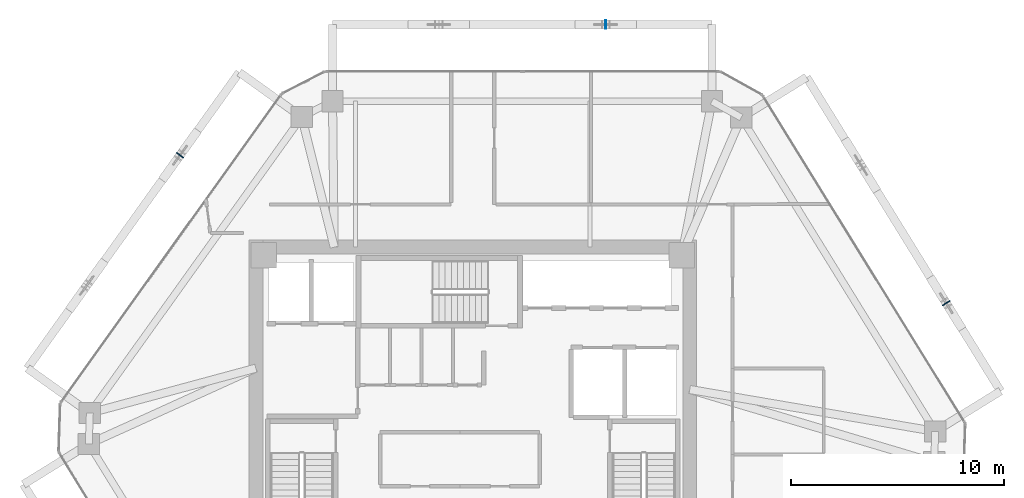
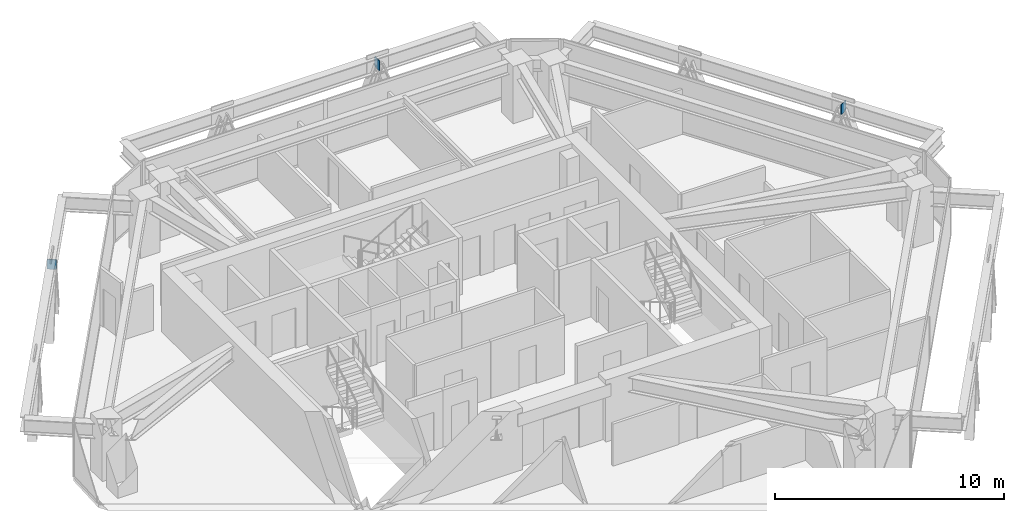
# One storey, part 9 of 14: 3 plates.
"""IFC4 building model written with IfcOpenShell, lengths in metres."""

from ifc_helpers import new_model, si_unit, direction, frame, origin, origin_2d, place, context, subcontext, project, spatial, rectangle, extrude, source, transform, mapped, material, layer, layer_set, type_object, type_shapes, element, save


model = new_model("IFC4")

# Units and contexts
model_context = context("Model", 3, precision=1e-05, world=origin(), true_north=direction((0.0, 1.0)))
body_context = subcontext(model_context, "Body", "Model", "MODEL_VIEW")
ifc_project = project(units=[si_unit("LENGTHUNIT", "METRE"), si_unit("AREAUNIT", "SQUARE_METRE"), si_unit("VOLUMEUNIT", "CUBIC_METRE"), si_unit("PLANEANGLEUNIT", "RADIAN"), si_unit("MASSUNIT", "GRAM", prefix="KILO")], contexts=[model_context])

# Site, building, storey
site_placement = place(None, origin())
site = spatial("IfcSite", under=ifc_project, at=site_placement, CompositionType="ELEMENT")
building_placement = place(site_placement, origin())
building = spatial("IfcBuilding", under=site, at=building_placement, Name="Durnholm Broadcast Tower", CompositionType="ELEMENT")
storey_placement = place(building_placement, frame((0.0, 0.0, 193.60009765625)))
storey = spatial("IfcBuildingStorey", under=building, at=storey_placement, Name="L53", CompositionType="ELEMENT", Elevation=193.60009765625)

# Plates
ifc_material = material(Name="Steel ASTM A572 Grade 50", Category="steel")
ifc_layer = layer(ifc_material, 0.044921875)
ifc_layer_set = layer_set([ifc_layer], Name="Steel ASTM A572 Grade 50")
plate_type = type_object("IfcPlateType", Name="PLT-KN-STIF", PredefinedType="SHEET", material=ifc_layer_set)
shared_shape = source(origin(), body_context, "Body", "SweptSolid", [
    extrude(rectangle(XDim=0.044921875, YDim=0.419921875, at=origin_2d()), origin(), (0.0, 0.0, 1.0), 0.52001953125),
])
type_shapes(plate_type, [shared_shape])
for number, where, z_axis, x_axis, name in (
    (1, (22.202392578125, 5.546875, 2.04833984375), (0.0, 0.0, 1.0), (-0.525768608156, 0.850627633385, 0.0), "L53 welded diagrid node stiffener plate F3"),
    (2, (6.234619140625, 18.617919921875, 2.04833984375), (0.0, 0.0, 1.0), (-1.0, 0.0, 0.0), "L53 welded diagrid node stiffener plate F4"),
    (3, (-13.731689453125, 12.485595703125, 2.04833984375), (0.0, 0.0, 1.0), (-0.582122970157, -0.813100761047, 0.0), "L53 welded diagrid node stiffener plate F5"),
):
    element("IfcPlate", number, at=place(storey_placement, frame(where, z_axis=z_axis, x_axis=x_axis)), inside=storey, type_object=plate_type, Name=name, PredefinedType="SHEET", context=body_context, shape_type="MappedRepresentation", body=[
        mapped(shared_shape, transform((0.0, 0.0, 0.0), x_axis=(1.0, 0.0, 0.0), y_axis=(0.0, 1.0, 0.0), z_axis=(0.0, 0.0, 1.0), scale=1.0)),
    ])

save(model, "model.ifc")
